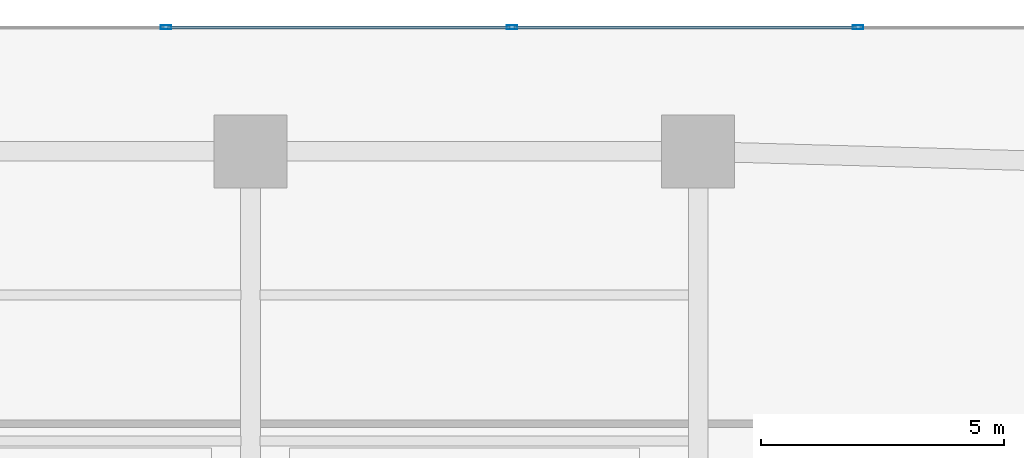
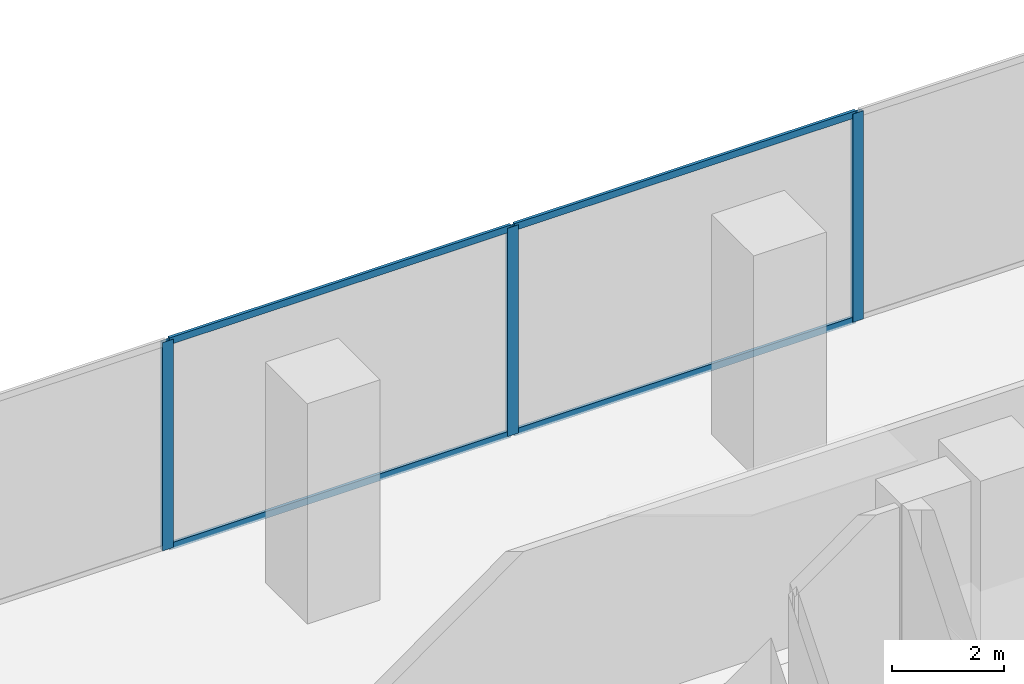
# One storey, part 19 of 33: 7 members, 1 element without a shape of its own.
"""IFC4 building model written with IfcOpenShell, lengths in metres."""

from ifc_helpers import new_model, si_unit, direction, frame, origin, origin_2d, place, context, subcontext, project, spatial, hollow_rectangle, extrude, material, layer, layer_set, material_profile, profile_set, type_object, element, aggregate, save


model = new_model("IFC4")

# Units and contexts
model_context = context("Model", 3, precision=1e-05, world=origin(), true_north=direction((0.0, 1.0)))
body_context = subcontext(model_context, "Body", "Model", "MODEL_VIEW")
ifc_project = project(units=[si_unit("LENGTHUNIT", "METRE"), si_unit("AREAUNIT", "SQUARE_METRE"), si_unit("VOLUMEUNIT", "CUBIC_METRE"), si_unit("PLANEANGLEUNIT", "RADIAN"), si_unit("MASSUNIT", "GRAM", prefix="KILO")], contexts=[model_context])

# Site, building, storey
site_placement = place(None, origin())
site = spatial("IfcSite", under=ifc_project, at=site_placement, CompositionType="ELEMENT")
building_placement = place(site_placement, origin())
building = spatial("IfcBuilding", under=site, at=building_placement, Name="Zuhayl Quay Hotel", CompositionType="ELEMENT")
storey_placement = place(building_placement, frame((0.0, 0.0, 18.0)))
storey = spatial("IfcBuildingStorey", under=building, at=storey_placement, Name="L03", CompositionType="ELEMENT", Elevation=18.0)

# Curtain wall, members
ifc_material_1 = material(Name="Anodised Aluminium 6063-T6", Category="aluminium")
ifc_layer = layer(ifc_material_1, 0.199951171875, Name="Anodised Aluminium 6063-T6", Category="aluminium")
ifc_layer_set = layer_set([ifc_layer], Name="Anodised Aluminium 6063-T6")
curtain_wall_type = type_object("IfcCurtainWallType", Name="CW_SYS_POD", PredefinedType="USERDEFINED", material=ifc_layer_set)
curtain_wall_placement = place(storey_placement, origin())
curtain_wall = element("IfcCurtainWall", 1, at=curtain_wall_placement, inside=storey, type_object=curtain_wall_type, Name="L03 Curtain Wall ENV_L03_E05_CW3", ObjectType="UNITISED CURTAIN WALL", PredefinedType="USERDEFINED")
ifc_material_2 = material(Name="Black-anodised aluminium 6063-T6", Category="aluminium")
ifc_material_profile_1 = material_profile(ifc_material_2, hollow_rectangle(XDim=0.074951171875, YDim=0.219970703125, WallThickness=0.00390625, at=origin_2d()), Name="ALU220X75")
ifc_profile_set_1 = profile_set([ifc_material_profile_1], Name="Black-anodised aluminium 6063-T6")
member_type_1 = type_object("IfcMemberType", Name="MB_CW_MUL_220", PredefinedType="MULLION", material=ifc_profile_set_1)
member_1_placement = place(storey_placement, frame((2.862548828125, 25.0, 0.0), z_axis=(0.0, 0.0, 1.0), x_axis=(0.0, 1.0, 0.0)))
member_1 = element("IfcMember", 2, at=member_1_placement, type_object=member_type_1, Name="CW-POD mullion 4", PredefinedType="MULLION", context=body_context, shape_type="SweptSolid", body=[
    extrude(hollow_rectangle(XDim=0.074951171875, YDim=0.219970703125, WallThickness=0.00390625, at=origin_2d()), origin(), (0.0, 0.0, 1.0), 4.5400390625),
])
member_2_placement = place(storey_placement, frame((9.97509765625, 25.0, 0.0), z_axis=(0.0, 0.0, 1.0), x_axis=(0.0, 1.0, 0.0)))
member_2 = element("IfcMember", 3, at=member_2_placement, type_object=member_type_1, Name="CW-POD mullion 5", PredefinedType="MULLION", context=body_context, shape_type="SweptSolid", body=[
    extrude(hollow_rectangle(XDim=0.074951171875, YDim=0.219970703125, WallThickness=0.00390625, at=origin_2d()), origin(), (0.0, 0.0, 1.0), 4.5400390625),
])
member_3_placement = place(storey_placement, frame((17.08740234375, 25.0, 0.0), z_axis=(0.0, 0.0, 1.0), x_axis=(0.0, 1.0, 0.0)))
member_3 = element("IfcMember", 4, at=member_3_placement, type_object=member_type_1, Name="CW-POD mullion 6", PredefinedType="MULLION", context=body_context, shape_type="SweptSolid", body=[
    extrude(hollow_rectangle(XDim=0.074951171875, YDim=0.219970703125, WallThickness=0.00390625, at=origin_2d()), origin(), (0.0, 0.0, 1.0), 4.5400390625),
])
ifc_material_profile_2 = material_profile(ifc_material_2, hollow_rectangle(XDim=0.06005859375, YDim=0.14990234375, WallThickness=0.00341796875, at=origin_2d()), Name="ALU150X60")
ifc_profile_set_2 = profile_set([ifc_material_profile_2], Name="Black-anodised aluminium 6063-T6")
member_type_2 = type_object("IfcMemberType", Name="MB_CW_TRN_150", PredefinedType="USERDEFINED", material=ifc_profile_set_2)
member_4_placement = place(storey_placement, frame((2.89990234375, 25.0, 0.030029296875), z_axis=(1.0, 0.0, 0.0), x_axis=(0.0, 1.0, 0.0)))
member_4 = element("IfcMember", 5, at=member_4_placement, type_object=member_type_2, Name="CW-POD transom 4.1", ObjectType="TRANSOM", PredefinedType="USERDEFINED", context=body_context, shape_type="SweptSolid", body=[
    extrude(hollow_rectangle(XDim=0.06005859375, YDim=0.14990234375, WallThickness=0.00341796875, at=origin_2d()), origin(), (0.0, 0.0, 1.0), 7.03759765625),
])
member_5_placement = place(storey_placement, frame((2.89990234375, 25.0, 4.510009765625), z_axis=(1.0, 0.0, 0.0), x_axis=(0.0, 1.0, 0.0)))
member_5 = element("IfcMember", 6, at=member_5_placement, type_object=member_type_2, Name="CW-POD transom 4.2", ObjectType="TRANSOM", PredefinedType="USERDEFINED", context=body_context, shape_type="SweptSolid", body=[
    extrude(hollow_rectangle(XDim=0.06005859375, YDim=0.14990234375, WallThickness=0.00341796875, at=origin_2d()), origin(), (0.0, 0.0, 1.0), 7.03759765625),
])
member_6_placement = place(storey_placement, frame((10.012451171875, 25.0, 0.030029296875), z_axis=(1.0, 0.0, 0.0), x_axis=(0.0, 1.0, 0.0)))
member_6 = element("IfcMember", 7, at=member_6_placement, type_object=member_type_2, Name="CW-POD transom 5.1", ObjectType="TRANSOM", PredefinedType="USERDEFINED", context=body_context, shape_type="SweptSolid", body=[
    extrude(hollow_rectangle(XDim=0.06005859375, YDim=0.14990234375, WallThickness=0.00341796875, at=origin_2d()), origin(), (0.0, 0.0, 1.0), 7.03759765625),
])
member_7_placement = place(storey_placement, frame((10.012451171875, 25.0, 4.510009765625), z_axis=(1.0, 0.0, 0.0), x_axis=(0.0, 1.0, 0.0)))
member_7 = element("IfcMember", 8, at=member_7_placement, type_object=member_type_2, Name="CW-POD transom 5.2", ObjectType="TRANSOM", PredefinedType="USERDEFINED", context=body_context, shape_type="SweptSolid", body=[
    extrude(hollow_rectangle(XDim=0.06005859375, YDim=0.14990234375, WallThickness=0.00341796875, at=origin_2d()), origin(), (0.0, 0.0, 1.0), 7.03759765625),
])
aggregate(curtain_wall, [member_1, member_2, member_3, member_4, member_5, member_6, member_7])

save(model, "model.ifc")
